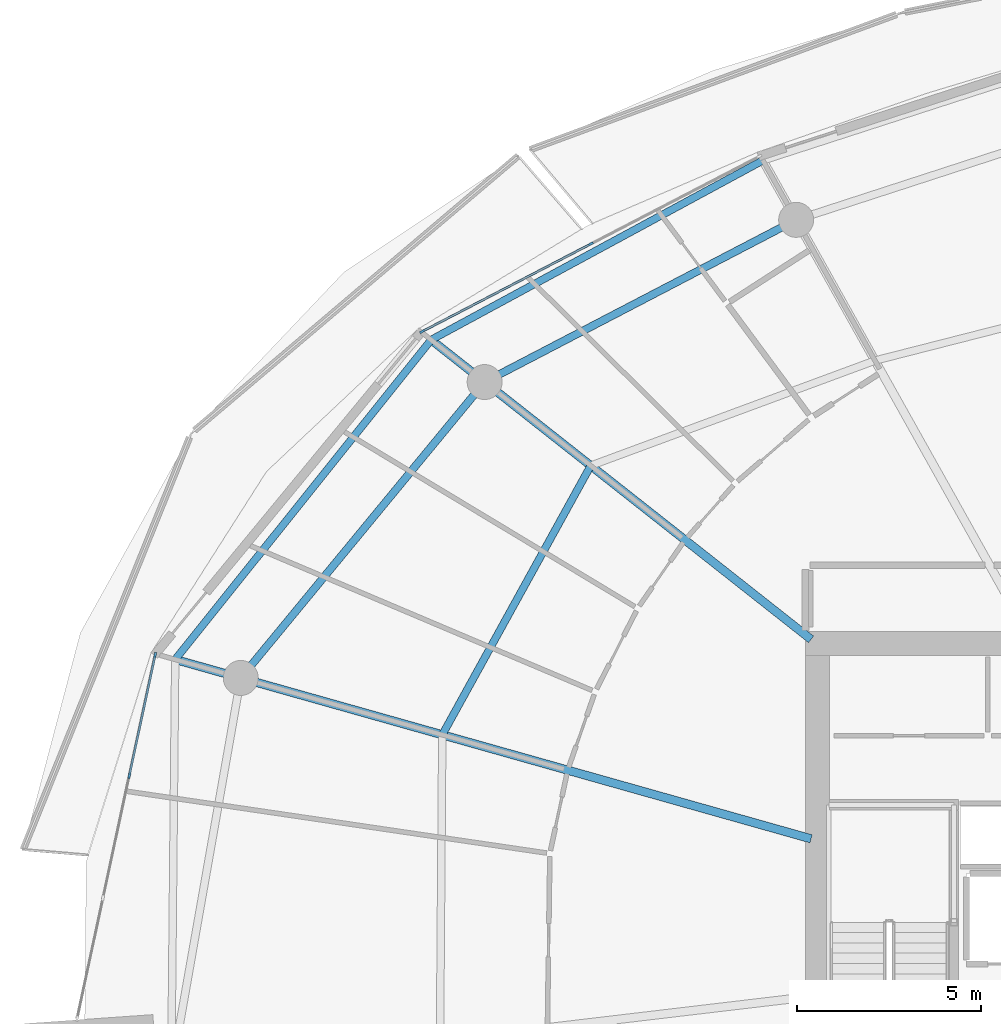
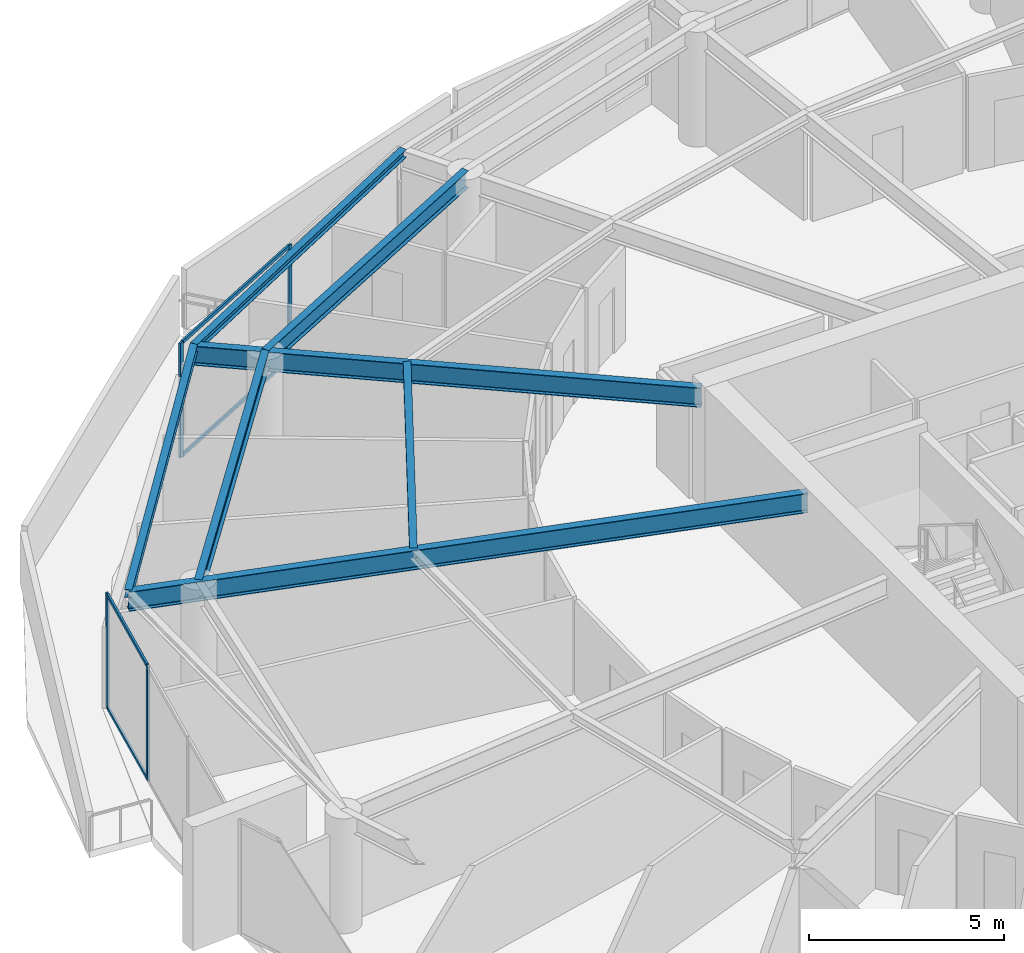
# One storey, part 13 of 31: 8 members, 7 beams, 2 elements without a shape of their own.
"""IFC4 building model written with IfcOpenShell, lengths in metres."""

from ifc_helpers import new_model, si_unit, direction, frame, origin, origin_2d, place, context, subcontext, project, spatial, rectangle, i_section, extrude, material, layer, layer_set, material_profile, profile_set, type_object, element, aggregate, save


model = new_model("IFC4")

# Units and contexts
model_context = context("Model", 3, precision=1e-05, world=origin(), true_north=direction((0.0, 1.0)))
body_context = subcontext(model_context, "Body", "Model", "MODEL_VIEW")
ifc_project = project(units=[si_unit("LENGTHUNIT", "METRE"), si_unit("AREAUNIT", "SQUARE_METRE"), si_unit("VOLUMEUNIT", "CUBIC_METRE"), si_unit("PLANEANGLEUNIT", "RADIAN"), si_unit("MASSUNIT", "GRAM", prefix="KILO")], contexts=[model_context])

# Site, building, storey
site_placement = place(None, origin())
site = spatial("IfcSite", under=ifc_project, at=site_placement, CompositionType="ELEMENT")
building_placement = place(site_placement, origin())
building = spatial("IfcBuilding", under=site, at=building_placement, Name="Kazma Halo Residences", CompositionType="ELEMENT")
storey_placement = place(building_placement, frame((0.0, 0.0, 240.550048828125)))
storey = spatial("IfcBuildingStorey", under=building, at=storey_placement, Name="L60", CompositionType="ELEMENT", Elevation=240.550048828125)

# Beams
ifc_material_1 = material(Name="Steel S355", Category="steel")
ifc_material_profile_1 = material_profile(ifc_material_1, i_section(OverallWidth=0.201904296875, OverallDepth=0.2470703125, WebThickness=0.00732421875, FlangeThickness=0.010986328125, FilletRadius=0.011962890625, at=origin_2d()), Name="W250x49.1")
ifc_profile_set_1 = profile_set([ifc_material_profile_1], Name="Steel S355")
beam_type_1 = type_object("IfcBeamType", Name="BM-BAL-CANT", PredefinedType="BEAM", material=ifc_profile_set_1)
beam_1_placement = place(storey_placement, frame((35.990478515625, 63.444580078125, 3.466552734375), z_axis=(-0.879517282036, -0.475866946321, 0.0), x_axis=(0.475866946321, -0.879517282036, 0.0)))
element("IfcBeam", 1, at=beam_1_placement, inside=storey, type_object=beam_type_1, Name="L60 wave-balcony tie beam 05", PredefinedType="BEAM", context=body_context, shape_type="SweptSolid", body=[
    extrude(i_section(OverallWidth=0.201904296875, OverallDepth=0.2470703125, WebThickness=0.00732421875, FlangeThickness=0.010986328125, FilletRadius=0.011962890625, at=origin_2d()), origin(), (0.0, 0.0, 1.0), 10.243408203125),
])
beam_2_placement = place(storey_placement, frame((26.981201171875, 58.570068359375, 3.466552734375), z_axis=(-0.625117912406, -0.780530329705, 0.0), x_axis=(0.780530329705, -0.625117912406, 0.0)))
element("IfcBeam", 2, at=beam_2_placement, inside=storey, type_object=beam_type_1, Name="L60 wave-balcony tie beam 06", PredefinedType="BEAM", context=body_context, shape_type="SweptSolid", body=[
    extrude(i_section(OverallWidth=0.201904296875, OverallDepth=0.2470703125, WebThickness=0.00732421875, FlangeThickness=0.010986328125, FilletRadius=0.011962890625, at=origin_2d()), origin(), (0.0, 0.0, 1.0), 11.1220703125),
])
ifc_material_profile_2 = material_profile(ifc_material_1, i_section(OverallWidth=0.22802734375, OverallDepth=0.60791015625, WebThickness=0.01123046875, FlangeThickness=0.017333984375, FilletRadius=0.01806640625, at=origin_2d()), Name="W610x113")
ifc_profile_set_2 = profile_set([ifc_material_profile_2], Name="Steel S355")
beam_type_2 = type_object("IfcBeamType", Name="BM-RAD-W610", PredefinedType="BEAM", material=ifc_profile_set_2)
beam_3_placement = place(storey_placement, frame((37.300048828125, 50.435302734375, 3.285888671875), z_axis=(-0.785315374811, 0.61909592317, 0.0), x_axis=(-0.61909592317, -0.785315374811, 0.0)))
element("IfcBeam", 3, at=beam_3_placement, inside=storey, type_object=beam_type_2, Name="L60 radial floor beam 06", PredefinedType="BEAM", context=body_context, shape_type="SweptSolid", body=[
    extrude(i_section(OverallWidth=0.22802734375, OverallDepth=0.60791015625, WebThickness=0.01123046875, FlangeThickness=0.017333984375, FilletRadius=0.01806640625, at=origin_2d()), origin(), (0.0, 0.0, 1.0), 13.1396484375),
])
beam_4_placement = place(storey_placement, frame((37.300048828125, 45.017578125, 3.285888671875), z_axis=(-0.962451225349, 0.271454671766, 0.0), x_axis=(-0.271454671766, -0.962451225349, 0.0)))
element("IfcBeam", 4, at=beam_4_placement, inside=storey, type_object=beam_type_2, Name="L60 radial floor beam 07", PredefinedType="BEAM", context=body_context, shape_type="SweptSolid", body=[
    extrude(i_section(OverallWidth=0.22802734375, OverallDepth=0.60791015625, WebThickness=0.01123046875, FlangeThickness=0.017333984375, FilletRadius=0.01806640625, at=origin_2d()), origin(), (0.0, 0.0, 1.0), 17.9453125),
])
ifc_material_profile_3 = material_profile(ifc_material_1, i_section(OverallWidth=0.202880859375, OverallDepth=0.302978515625, WebThickness=0.007568359375, FlangeThickness=0.01318359375, FilletRadius=0.013916015625, at=origin_2d()), Name="W310x60")
ifc_profile_set_3 = profile_set([ifc_material_profile_3], Name="Steel S355")
beam_type_3 = type_object("IfcBeamType", Name="BM-SEC-W310A", PredefinedType="JOIST", material=ifc_profile_set_3)
beam_5_placement = place(storey_placement, frame((31.31494140625, 55.1533203125, 3.4384765625), z_axis=(-0.483003900912, -0.875618199733, 0.0), x_axis=(0.875618199733, -0.483003900912, 0.0)))
element("IfcBeam", 5, at=beam_5_placement, inside=storey, type_object=beam_type_3, Name="L60 circumferential floor joist 06", PredefinedType="JOIST", context=body_context, shape_type="SweptSolid", body=[
    extrude(i_section(OverallWidth=0.202880859375, OverallDepth=0.302978515625, WebThickness=0.007568359375, FlangeThickness=0.01318359375, FilletRadius=0.013916015625, at=origin_2d()), origin(), (0.0, 0.0, 1.0), 8.3486328125),
])
ifc_material_profile_4 = material_profile(ifc_material_1, i_section(OverallWidth=0.208984375, OverallDepth=0.532958984375, WebThickness=0.01025390625, FlangeThickness=0.015625, FilletRadius=0.01611328125, at=origin_2d()), Name="W530x92")
ifc_profile_set_4 = profile_set([ifc_material_profile_4], Name="Steel S355")
beam_type_4 = type_object("IfcBeamType", Name="BM-SPN-W530", PredefinedType="BEAM", material=ifc_profile_set_4)
beam_6_placement = place(storey_placement, frame((36.89453125, 61.830322265625, 3.323486328125), z_axis=(-0.886961047115, -0.461844238788, 0.0), x_axis=(0.461844238788, -0.886961047115, 0.0)))
element("IfcBeam", 6, at=beam_6_placement, inside=storey, type_object=beam_type_4, Name="L60 perimeter ring beam 05", PredefinedType="BEAM", context=body_context, shape_type="SweptSolid", body=[
    extrude(i_section(OverallWidth=0.208984375, OverallDepth=0.532958984375, WebThickness=0.01025390625, FlangeThickness=0.015625, FilletRadius=0.01611328125, at=origin_2d()), origin(), (0.0, 0.0, 1.0), 9.5390625),
])
beam_7_placement = place(storey_placement, frame((28.433837890625, 57.4248046875, 3.323486328125), z_axis=(-0.636002144225, -0.771687289348, 0.0), x_axis=(0.771687289348, -0.636002144225, 0.0)))
element("IfcBeam", 7, at=beam_7_placement, inside=storey, type_object=beam_type_4, Name="L60 perimeter ring beam 06", PredefinedType="BEAM", context=body_context, shape_type="SweptSolid", body=[
    extrude(i_section(OverallWidth=0.208984375, OverallDepth=0.532958984375, WebThickness=0.01025390625, FlangeThickness=0.015625, FilletRadius=0.01611328125, at=origin_2d()), origin(), (0.0, 0.0, 1.0), 10.416259765625),
])

# Curtain wall, members
ifc_material_2 = material(Name="Aluminium AW-6063 T6 and Triple-Silver Low-E Glass", Category="aluminium")
ifc_layer = layer(ifc_material_2, 0.139892578125)
ifc_layer_set = layer_set([ifc_layer], Name="Aluminium AW-6063 T6 and Triple-Silver Low-E Glass")
curtain_wall_type = type_object("IfcCurtainWallType", Name="CW-SYS-5", PredefinedType="NOTDEFINED", material=ifc_layer_set)
curtain_wall_1_placement = place(storey_placement, origin())
curtain_wall_1 = element("IfcCurtainWall", 8, at=curtain_wall_1_placement, inside=storey, type_object=curtain_wall_type, Name="L60 unitised curtain wall B05", PredefinedType="NOTDEFINED")
ifc_material_3 = material(Name="Aluminium AW-6063 T6", Category="aluminium")
ifc_material_profile_5 = material_profile(ifc_material_3, rectangle(XDim=0.06005859375, YDim=0.139892578125, at=origin_2d()), Name="CWM-60x140")
ifc_profile_set_5 = profile_set([ifc_material_profile_5], Name="Aluminium AW-6063 T6")
member_type_1 = type_object("IfcMemberType", Name="CW-SYS-5-MUL", PredefinedType="MULLION", material=ifc_profile_set_5)
member_1_placement = place(storey_placement, frame((31.31591796875, 61.175537109375, 0.0), z_axis=(0.0, 0.0, 1.0), x_axis=(0.460960760804, -0.887420518694, 0.0)))
member_1 = element("IfcMember", 9, at=member_1_placement, type_object=member_type_1, Name="CWS-5 mullion 2", PredefinedType="MULLION", context=body_context, shape_type="SweptSolid", body=[
    extrude(rectangle(XDim=0.06005859375, YDim=0.139892578125, at=origin_2d()), origin(), (0.0, 0.0, 1.0), 3.58984375),
])
member_2_placement = place(storey_placement, frame((26.737060546875, 58.797119140625, 0.0), z_axis=(0.0, 0.0, 1.0), x_axis=(0.460960760804, -0.887420518694, 0.0)))
member_2 = element("IfcMember", 10, at=member_2_placement, type_object=member_type_1, Name="CWS-5 mullion 3", PredefinedType="MULLION", context=body_context, shape_type="SweptSolid", body=[
    extrude(rectangle(XDim=0.06005859375, YDim=0.139892578125, at=origin_2d()), origin(), (0.0, 0.0, 1.0), 3.58984375),
])

curtain_wall_2_placement = place(storey_placement, origin())
curtain_wall_2 = element("IfcCurtainWall", 11, at=curtain_wall_2_placement, inside=storey, type_object=curtain_wall_type, Name="L60 unitised curtain wall B07", PredefinedType="NOTDEFINED")
member_3_placement = place(storey_placement, frame((19.485107421875, 50.010986328125, 0.0), z_axis=(0.0, 0.0, 1.0), x_axis=(0.97777491373, -0.209657382603, 0.0)))
member_3 = element("IfcMember", 12, at=member_3_placement, type_object=member_type_1, Name="CWS-5 mullion 1", PredefinedType="MULLION", context=body_context, shape_type="SweptSolid", body=[
    extrude(rectangle(XDim=0.06005859375, YDim=0.139892578125, at=origin_2d()), origin(), (0.0, 0.0, 1.0), 3.58984375),
])
member_4_placement = place(storey_placement, frame((18.781005859375, 46.7265625, 0.0), z_axis=(0.0, 0.0, 1.0), x_axis=(0.97777491373, -0.209657382603, 0.0)))
member_4 = element("IfcMember", 13, at=member_4_placement, type_object=member_type_1, Name="CWS-5 mullion 2", PredefinedType="MULLION", context=body_context, shape_type="SweptSolid", body=[
    extrude(rectangle(XDim=0.06005859375, YDim=0.139892578125, at=origin_2d()), origin(), (0.0, 0.0, 1.0), 3.58984375),
])

# Member
ifc_material_profile_6 = material_profile(ifc_material_3, rectangle(XDim=0.06005859375, YDim=0.10498046875, at=origin_2d()), Name="CWT-60x105")
ifc_profile_set_6 = profile_set([ifc_material_profile_6], Name="Aluminium AW-6063 T6")
member_type_2 = type_object("IfcMemberType", Name="CW-SYS-5-TRN", PredefinedType="USERDEFINED", material=ifc_profile_set_6)
member_5_placement = place(storey_placement, frame((31.289306640625, 61.16162109375, 0.030029296875), z_axis=(-0.887436955863, -0.46092911534, 0.0), x_axis=(0.46092911534, -0.887436955863, 0.0)))
member_5 = element("IfcMember", 14, at=member_5_placement, type_object=member_type_2, Name="CWS-5 transom 2.1", ObjectType="TRANSOM", PredefinedType="USERDEFINED", context=body_context, shape_type="SweptSolid", body=[
    extrude(rectangle(XDim=0.06005859375, YDim=0.10498046875, at=origin_2d()), origin(), (0.0, 0.0, 1.0), 5.099609375),
])

member_6_placement = place(storey_placement, frame((31.289306640625, 61.16162109375, 3.56005859375), z_axis=(-0.887436955863, -0.46092911534, 0.0), x_axis=(0.46092911534, -0.887436955863, 0.0)))
member_6 = element("IfcMember", 15, at=member_6_placement, type_object=member_type_2, Name="CWS-5 transom 2.2", ObjectType="TRANSOM", PredefinedType="USERDEFINED", context=body_context, shape_type="SweptSolid", body=[
    extrude(rectangle(XDim=0.06005859375, YDim=0.10498046875, at=origin_2d()), origin(), (0.0, 0.0, 1.0), 5.099609375),
])

aggregate(curtain_wall_1, [member_1, member_2, member_5, member_6])

member_7_placement = place(storey_placement, frame((19.47900390625, 49.9814453125, 0.030029296875), z_axis=(-0.209660493552, -0.977774246666, 0.0), x_axis=(0.977774246666, -0.209660493552, 0.0)))
member_7 = element("IfcMember", 16, at=member_7_placement, type_object=member_type_2, Name="CWS-5 transom 1.1", ObjectType="TRANSOM", PredefinedType="USERDEFINED", context=body_context, shape_type="SweptSolid", body=[
    extrude(rectangle(XDim=0.06005859375, YDim=0.10498046875, at=origin_2d()), origin(), (0.0, 0.0, 1.0), 3.298828125),
])

member_8_placement = place(storey_placement, frame((19.47900390625, 49.9814453125, 3.56005859375), z_axis=(-0.209660493552, -0.977774246666, 0.0), x_axis=(0.977774246666, -0.209660493552, 0.0)))
member_8 = element("IfcMember", 17, at=member_8_placement, type_object=member_type_2, Name="CWS-5 transom 1.2", ObjectType="TRANSOM", PredefinedType="USERDEFINED", context=body_context, shape_type="SweptSolid", body=[
    extrude(rectangle(XDim=0.06005859375, YDim=0.10498046875, at=origin_2d()), origin(), (0.0, 0.0, 1.0), 3.298828125),
])

aggregate(curtain_wall_2, [member_3, member_4, member_7, member_8])

save(model, "model.ifc")
